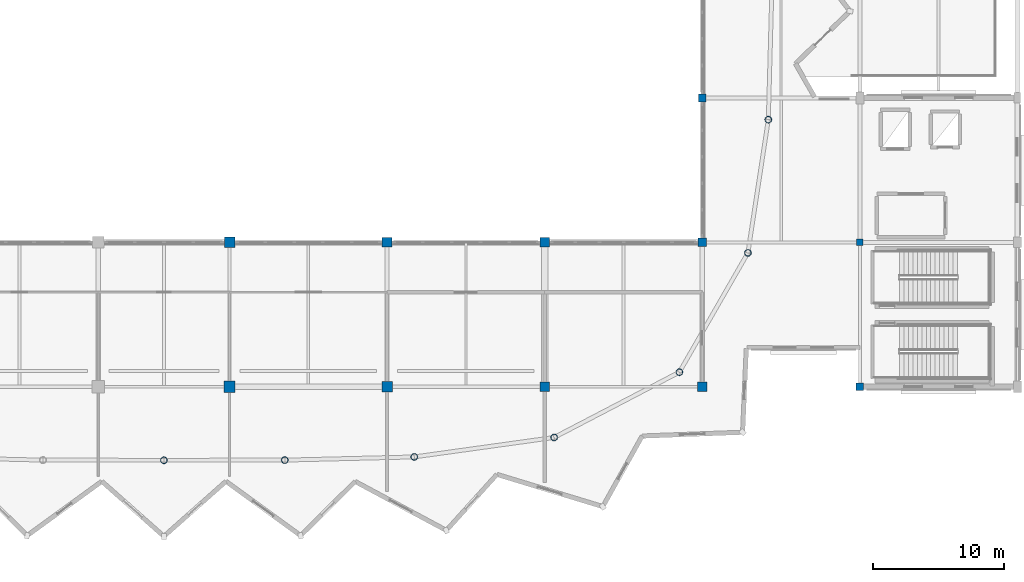
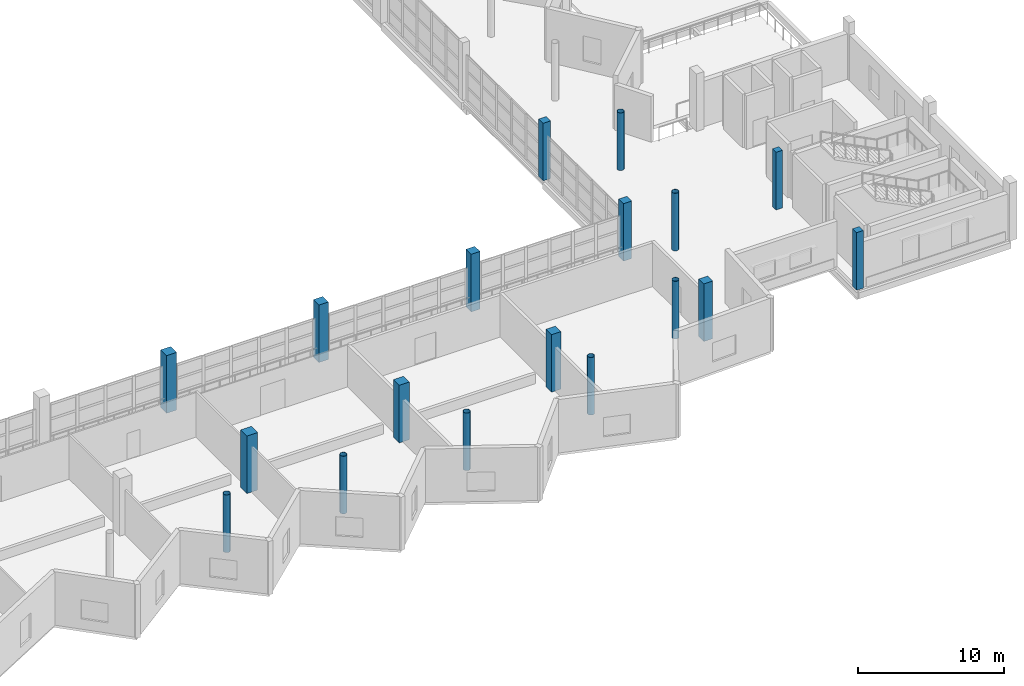
# One storey, part 4 of 53: 18 columns.
"""IFC4 building model written with IfcOpenShell, lengths in metres."""

import ifcopenshell
import ifcopenshell.guid

model = None  # the IFC model being written
_history = None  # IfcOwnerHistory: only IFC2X3 demands one
_inside = {}  # id of a spatial element -> (the spatial element, [elements in it])
_under = {}  # id of a project, library or spatial element -> (it, [spatial elements below it])
_declared = {}  # id of a project -> (the project, [libraries it declares])
_typed = {}  # id of a type object -> (the type object, [elements of that type])
_made_of = {}  # id of a material, layer set ... -> (it, [elements and type objects made of it])


def new_model(schema):
    """Start an empty IFC model of exactly this schema.

    Asked for "IFC4X3", IfcOpenShell would pick the latest addendum, in which some entities
    have other attributes; the version numbers below select the first issue.
    IFC2X3 requires an IfcOwnerHistory on every rooted entity: one is made here for all.
    """
    global model, _history
    if schema == "IFC4X3":
        model = ifcopenshell.file(schema_version=(4, 3, 0, 0))
    else:
        model = ifcopenshell.file(schema=schema)
    _inside.clear()
    _under.clear()
    _declared.clear()
    _typed.clear()
    _made_of.clear()
    _history = None
    if model.schema == "IFC2X3":
        org = make("IfcOrganization", Name="unknown")
        user = make(
            "IfcPersonAndOrganization",
            ThePerson=make("IfcPerson", FamilyName="unknown"),
            TheOrganization=org,
        )
        app = make(
            "IfcApplication",
            ApplicationDeveloper=org,
            Version="unknown",
            ApplicationFullName="unknown",
            ApplicationIdentifier="unknown",
        )
        _history = make(
            "IfcOwnerHistory",
            OwningUser=user,
            OwningApplication=app,
            ChangeAction="ADDED",
            CreationDate=0,
        )
    return model


def make(cls, **values):
    """One entity of the class cls with the attributes given. An attribute that is None is left unset."""
    return model.create_entity(
        cls, **{name: value for name, value in values.items() if value is not None}
    )


def rooted(cls, **values):
    """An entity with a GlobalId (a new one), such as an element, a storey or a relation."""
    return make(cls, GlobalId=ifcopenshell.guid.new(), OwnerHistory=_history, **values)


def si_unit(unit_type, name, prefix=None):
    """IfcSIUnit, for example si_unit("LENGTHUNIT", "METRE", prefix="MILLI")."""
    return make("IfcSIUnit", UnitType=unit_type, Prefix=prefix, Name=name)


def assignment(units):
    """IfcUnitAssignment: the units of a project."""
    return None if units is None else make("IfcUnitAssignment", Units=units)


def point(xyz):
    """IfcCartesianPoint."""
    return None if xyz is None else make("IfcCartesianPoint", Coordinates=xyz)


def direction(xyz):
    """IfcDirection."""
    return None if xyz is None else make("IfcDirection", DirectionRatios=xyz)


def frame(location, z_axis=None, x_axis=None):
    """IfcAxis2Placement3D, a coordinate frame: its origin and axes. An axis left out is left unset."""
    return make(
        "IfcAxis2Placement3D",
        Location=point(location),
        Axis=direction(z_axis),
        RefDirection=direction(x_axis),
    )


def frame_2d(location, x_axis=None):
    """IfcAxis2Placement2D, a coordinate frame in the plane: its origin and x axis."""
    return make(
        "IfcAxis2Placement2D", Location=point(location), RefDirection=direction(x_axis)
    )


def origin():
    """The frame at (0, 0, 0) with its axes left unset."""
    return frame((0.0, 0.0, 0.0))


def origin_2d():
    """The frame at (0, 0) in the plane with its x axis left unset."""
    return frame_2d((0.0, 0.0))


def place(relative_to, where):
    """IfcLocalPlacement: puts the frame where relative to a parent placement (None: the world)."""
    return make(
        "IfcLocalPlacement", PlacementRelTo=relative_to, RelativePlacement=where
    )


def context(
    kind, dimensions, precision=None, world=None, true_north=None, identifier=None
):
    """IfcGeometricRepresentationContext, for example the 3D "Model" context."""
    return make(
        "IfcGeometricRepresentationContext",
        ContextIdentifier=identifier,
        ContextType=kind,
        CoordinateSpaceDimension=dimensions,
        Precision=precision,
        WorldCoordinateSystem=world,
        TrueNorth=true_north,
    )


def subcontext(parent, identifier, kind, view, scale=None):
    """IfcGeometricRepresentationSubContext, for example "Body" below "Model"."""
    return make(
        "IfcGeometricRepresentationSubContext",
        ContextIdentifier=identifier,
        ContextType=kind,
        ParentContext=parent,
        TargetScale=scale,
        TargetView=view,
    )


def project(units=None, contexts=None):
    """IfcProject with its units and contexts."""
    return rooted(
        "IfcProject",
        Name="project",
        RepresentationContexts=contexts,
        UnitsInContext=assignment(units),
    )


def spatial(cls, under=None, at=None, **own):
    """A site, building, storey or space (cls), placed at a placement, below another one or the project."""
    s = rooted(cls, ObjectPlacement=at, **own)
    if under is not None:
        _under.setdefault(under.id(), (under, []))[1].append(s)
    return s


def profile(cls, at=None, kind="AREA", **sizes):
    """A parametric profile (cls). Its sizes go by their IFC names, for example OverallWidth=200.0."""
    return make(cls, ProfileType=kind, Position=at, **sizes)


def rectangle(**sizes):
    """IfcRectangleProfileDef."""
    return profile("IfcRectangleProfileDef", **sizes)


def hollow_circle(**sizes):
    """IfcCircleHollowProfileDef."""
    return profile("IfcCircleHollowProfileDef", **sizes)


def extrude(swept, where, along, depth):
    """IfcExtrudedAreaSolid: the profile swept, set in the frame where, extruded along a direction by depth."""
    return make(
        "IfcExtrudedAreaSolid",
        SweptArea=swept,
        Position=where,
        ExtrudedDirection=direction(along),
        Depth=depth,
    )


def shape(context_of_items, identifier, shape_type, items):
    """IfcShapeRepresentation: the items that make up one representation, for example the "Body"."""
    return make(
        "IfcShapeRepresentation",
        ContextOfItems=context_of_items,
        RepresentationIdentifier=identifier,
        RepresentationType=shape_type,
        Items=items,
    )


def material(Name=None, Category=None):
    """IfcMaterial."""
    return make("IfcMaterial", Name=Name, Category=Category)


def material_profile(
    of_material, cross_section, Name=None, Category=None, Priority=None
):
    """IfcMaterialProfile: a cross section and its material."""
    return make(
        "IfcMaterialProfile",
        Name=Name,
        Material=of_material,
        Profile=cross_section,
        Priority=Priority,
        Category=Category,
    )


def profile_set(profiles, Name=None, composite=None):
    """IfcMaterialProfileSet."""
    return make(
        "IfcMaterialProfileSet",
        Name=Name,
        MaterialProfiles=profiles,
        CompositeProfile=composite,
    )


def made_of(thing, what):
    """Note that an element or type object is made of a material, layer set ...; save() writes the relation."""
    if what is not None:
        _made_of.setdefault(what.id(), (what, []))[1].append(thing)
    return thing


def type_object(cls, material=None, **own):
    """A type object (cls), such as IfcWallType, which elements share."""
    return made_of(rooted(cls, **own), material)


def element(
    cls,
    number,
    at=None,
    inside=None,
    cuts=None,
    type_object=None,
    material=None,
    context=None,
    identifier="Body",
    shape_type=None,
    held_by="IfcProductDefinitionShape",
    body=None,
    shapes=None,
    **own,
):
    """One element of the class cls, such as IfcWall. Its Tag is "e" and its number.

    at: its placement. inside: the storey or other place that contains it. cuts: it is an
    opening in that element (IfcRelVoidsElement). A single representation is given by context,
    identifier, shape_type and body (its items); several are given by shapes. held_by: the class
    of the entity that holds the representations. save() writes the other relations.
    """
    e = rooted(cls, Tag="e%d" % number, ObjectPlacement=at, **own)
    if body is not None:
        shapes = [shape(context, identifier, shape_type, body)]
    if shapes is not None:
        e.Representation = make(held_by, Representations=shapes)
    if inside is not None:
        _inside.setdefault(inside.id(), (inside, []))[1].append(e)
    if cuts is not None:
        rooted(
            "IfcRelVoidsElement", RelatingBuildingElement=cuts, RelatedOpeningElement=e
        )
    if type_object is not None:
        _typed.setdefault(type_object.id(), (type_object, []))[1].append(e)
    return made_of(e, material)


def aggregate(whole, parts):
    """IfcRelAggregates: a whole, such as a stair, and the parts it consists of."""
    return rooted("IfcRelAggregates", RelatingObject=whole, RelatedObjects=parts)


def save(model, path):
    """Write the relations noted so far, then the file.

    IfcRelAggregates (storeys below a building ...), IfcRelContainedInSpatialStructure (elements
    in a storey), IfcRelDefinesByType, IfcRelAssociatesMaterial and IfcRelDeclares: one each for
    every whole, place, type object, material and project.
    """
    for whole, parts in _under.values():
        aggregate(whole, parts)
    for where, things in _inside.values():
        rooted(
            "IfcRelContainedInSpatialStructure",
            RelatedElements=things,
            RelatingStructure=where,
        )
    for kind, things in _typed.values():
        rooted("IfcRelDefinesByType", RelatedObjects=things, RelatingType=kind)
    for what, things in _made_of.values():
        rooted("IfcRelAssociatesMaterial", RelatedObjects=things, RelatingMaterial=what)
    for by, libraries in _declared.values():
        rooted("IfcRelDeclares", RelatingContext=by, RelatedDefinitions=libraries)
    model.write(path)


model = new_model("IFC4")

# Units and contexts
model_context = context("Model", 3, precision=1e-05, world=origin(), true_north=direction((0.0, 1.0)))
body_context = subcontext(model_context, "Body", "Model", "MODEL_VIEW")
ifc_project = project(units=[si_unit("LENGTHUNIT", "METRE"), si_unit("AREAUNIT", "SQUARE_METRE"), si_unit("VOLUMEUNIT", "CUBIC_METRE"), si_unit("PLANEANGLEUNIT", "RADIAN"), si_unit("MASSUNIT", "GRAM", prefix="KILO")], contexts=[model_context])

# Site, building, storey
site_placement = place(None, origin())
site = spatial("IfcSite", under=ifc_project, at=site_placement, CompositionType="ELEMENT")
building_placement = place(site_placement, origin())
building = spatial("IfcBuilding", under=site, at=building_placement, Name="Luwafu Chhajja Arena", CompositionType="ELEMENT")
storey_placement = place(building_placement, frame((0.0, 0.0, 19.5)))
storey = spatial("IfcBuildingStorey", under=building, at=storey_placement, Name="L04", CompositionType="ELEMENT", Elevation=19.5)

# Columns
ifc_material_1 = material(Name="Concrete C35/45", Category="concrete")
ifc_material_profile_1 = material_profile(ifc_material_1, rectangle(XDim=0.85009765625, YDim=0.85009765625, at=origin_2d()), Name="RC 850x850")
ifc_profile_set_1 = profile_set([ifc_material_profile_1], Name="Concrete C35/45")
column_type_1 = type_object("IfcColumnType", Name="Concourse Heavy Column RC 850", PredefinedType="COLUMN", material=ifc_profile_set_1)
column_1_placement = place(storey_placement, frame((104.0, 11.0, 0.0), z_axis=(0.0, 0.0, 1.0), x_axis=(1.0, 0.0, 0.0)))
element("IfcColumn", 1, at=column_1_placement, inside=storey, type_object=column_type_1, Name="L04 Grid Column 10/B", PredefinedType="COLUMN", context=body_context, shape_type="SweptSolid", body=[
    extrude(rectangle(XDim=0.85009765625, YDim=0.85009765625, at=origin_2d()), origin(), (0.0, 0.0, 1.0), 4.800048828125),
])
ifc_material_profile_2 = material_profile(ifc_material_1, rectangle(XDim=0.800048828125, YDim=0.800048828125, at=origin_2d()), Name="RC 800x800")
ifc_profile_set_2 = profile_set([ifc_material_profile_2], Name="Concrete C35/45")
column_type_2 = type_object("IfcColumnType", Name="Concourse Standard Column RC 800", PredefinedType="COLUMN", material=ifc_profile_set_2)
for number, where, z_axis, x_axis, name in (
    (2, (104.0, 22.0, 0.0), (0.0, 0.0, 1.0), (1.0, 0.0, 0.0), "L04 Grid Column 10/C"),
    (3, (116.0, 11.0, 0.0), (0.0, 0.0, 1.0), (1.0, 0.0, 0.0), "L04 Grid Column 11/B"),
):
    element("IfcColumn", number, at=place(storey_placement, frame(where, z_axis=z_axis, x_axis=x_axis)), inside=storey, type_object=column_type_2, Name=name, PredefinedType="COLUMN", context=body_context, shape_type="SweptSolid", body=[
        extrude(rectangle(XDim=0.800048828125, YDim=0.800048828125, at=origin_2d()), origin(), (0.0, 0.0, 1.0), 4.800048828125),
    ])
ifc_material_profile_3 = material_profile(ifc_material_1, rectangle(XDim=0.550048828125, YDim=0.550048828125, at=origin_2d()), Name="RC 550x550")
ifc_profile_set_3 = profile_set([ifc_material_profile_3], Name="Concrete C35/45")
column_type_3 = type_object("IfcColumnType", Name="Gallery Column RC 550", PredefinedType="COLUMN", material=ifc_profile_set_3)
column_2_placement = place(storey_placement, frame((152.0, 11.0, 0.0), z_axis=(0.0, 0.0, 1.0), x_axis=(1.0, 0.0, 0.0)))
element("IfcColumn", 4, at=column_2_placement, inside=storey, type_object=column_type_3, Name="L04 Grid Column 14/B", PredefinedType="COLUMN", context=body_context, shape_type="SweptSolid", body=[
    extrude(rectangle(XDim=0.550048828125, YDim=0.550048828125, at=origin_2d()), origin(), (0.0, 0.0, 1.0), 4.800048828125),
])
ifc_material_profile_4 = material_profile(ifc_material_1, rectangle(XDim=0.75, YDim=0.75, at=origin_2d()), Name="RC 750x750")
ifc_profile_set_4 = profile_set([ifc_material_profile_4], Name="Concrete C35/45")
column_type_4 = type_object("IfcColumnType", Name="Hospitality Ring Column RC 750", PredefinedType="COLUMN", material=ifc_profile_set_4)
for number, where, z_axis, x_axis, name in (
    (5, (116.0, 22.0, 0.0), (0.0, 0.0, 1.0), (1.0, 0.0, 0.0), "L04 Grid Column 11/C"),
    (6, (128.0, 11.0, 0.0), (0.0, 0.0, 1.0), (1.0, 0.0, 0.0), "L04 Grid Column 12/B"),
):
    element("IfcColumn", number, at=place(storey_placement, frame(where, z_axis=z_axis, x_axis=x_axis)), inside=storey, type_object=column_type_4, Name=name, PredefinedType="COLUMN", context=body_context, shape_type="SweptSolid", body=[
        extrude(rectangle(XDim=0.75, YDim=0.75, at=origin_2d()), origin(), (0.0, 0.0, 1.0), 4.800048828125),
    ])
ifc_material_profile_5 = material_profile(ifc_material_1, rectangle(XDim=0.60009765625, YDim=0.60009765625, at=origin_2d()), Name="RC 600x600")
ifc_profile_set_5 = profile_set([ifc_material_profile_5], Name="Concrete C35/45")
column_type_5 = type_object("IfcColumnType", Name="Mezzanine Column RC 600", PredefinedType="COLUMN", material=ifc_profile_set_5)
column_3_placement = place(storey_placement, frame((140.0, 33.0, 0.0), z_axis=(0.0, 0.0, 1.0), x_axis=(1.0, 0.0, 0.0)))
element("IfcColumn", 7, at=column_3_placement, inside=storey, type_object=column_type_5, Name="L04 Grid Column 13/D", PredefinedType="COLUMN", context=body_context, shape_type="SweptSolid", body=[
    extrude(rectangle(XDim=0.60009765625, YDim=0.60009765625, at=origin_2d()), origin(), (0.0, 0.0, 1.0), 4.800048828125),
])
ifc_material_profile_6 = material_profile(ifc_material_1, rectangle(XDim=0.5, YDim=0.5, at=origin_2d()), Name="RC 500x500")
ifc_profile_set_6 = profile_set([ifc_material_profile_6], Name="Concrete C35/45")
column_type_6 = type_object("IfcColumnType", Name="Pavilion Column RC 500", PredefinedType="COLUMN", material=ifc_profile_set_6)
column_4_placement = place(storey_placement, frame((152.0, 22.0, 0.0), z_axis=(0.0, 0.0, 1.0), x_axis=(1.0, 0.0, 0.0)))
element("IfcColumn", 8, at=column_4_placement, inside=storey, type_object=column_type_6, Name="L04 Grid Column 14/C", PredefinedType="COLUMN", context=body_context, shape_type="SweptSolid", body=[
    extrude(rectangle(XDim=0.5, YDim=0.5, at=origin_2d()), origin(), (0.0, 0.0, 1.0), 4.800048828125),
])
ifc_material_2 = material(Name="Steel S355", Category="steel")
ifc_material_profile_7 = material_profile(ifc_material_2, hollow_circle(Radius=0.25390625, WallThickness=0.02001953125, at=origin_2d()), Name="CHS 508x20")
ifc_profile_set_7 = profile_set([ifc_material_profile_7], Name="Steel S355")
column_type_7 = type_object("IfcColumnType", Name="Steel Upper Drum Column CHS 508", PredefinedType="COLUMN", material=ifc_profile_set_7)
for number, where, z_axis, x_axis, name in (
    (9, (99.0, 5.39990234375, 0.0), (0.0, 0.0, 1.0), (1.0, 0.0, 0.0), "L04 Bowl Drum Column D25"),
    (10, (108.207275390625, 5.411865234375, 0.0), (0.0, 0.0, 1.0), (1.0, 0.0, 0.0), "L04 Bowl Drum Column D26"),
    (11, (118.067138671875, 5.6552734375, 0.0), (0.0, 0.0, 1.0), (1.0, 0.0, 0.0), "L04 Bowl Drum Column D27"),
    (12, (128.718017578125, 7.13720703125, 0.0), (0.0, 0.0, 1.0), (1.0, 0.0, 0.0), "L04 Bowl Drum Column D28"),
    (13, (138.256103515625, 12.109130859375, 0.0), (0.0, 0.0, 1.0), (1.0, 0.0, 0.0), "L04 Bowl Drum Column D29"),
    (14, (143.47607421875, 21.194091796875, 0.0), (0.0, 0.0, 1.0), (1.0, 0.0, 0.0), "L04 Bowl Drum Column D30"),
    (15, (145.031982421875, 31.3388671875, 0.0), (0.0, 0.0, 1.0), (1.0, 0.0, 0.0), "L04 Bowl Drum Column D31"),
):
    element("IfcColumn", number, at=place(storey_placement, frame(where, z_axis=z_axis, x_axis=x_axis)), inside=storey, type_object=column_type_7, Name=name, PredefinedType="COLUMN", context=body_context, shape_type="SweptSolid", body=[
        extrude(hollow_circle(Radius=0.25390625, WallThickness=0.02001953125, at=origin_2d()), origin(), (0.0, 0.0, 1.0), 4.800048828125),
    ])
ifc_material_profile_8 = material_profile(ifc_material_1, rectangle(XDim=0.64990234375, YDim=0.64990234375, at=origin_2d()), Name="RC 650x650")
ifc_profile_set_8 = profile_set([ifc_material_profile_8], Name="Concrete C35/45")
column_type_8 = type_object("IfcColumnType", Name="Upper Wing Column RC 650", PredefinedType="COLUMN", material=ifc_profile_set_8)
column_5_placement = place(storey_placement, frame((140.0, 22.0, 0.0), z_axis=(0.0, 0.0, 1.0), x_axis=(1.0, 0.0, 0.0)))
element("IfcColumn", 16, at=column_5_placement, inside=storey, type_object=column_type_8, Name="L04 Grid Column 13/C", PredefinedType="COLUMN", context=body_context, shape_type="SweptSolid", body=[
    extrude(rectangle(XDim=0.64990234375, YDim=0.64990234375, at=origin_2d()), origin(), (0.0, 0.0, 1.0), 4.800048828125),
])
ifc_material_profile_9 = material_profile(ifc_material_1, rectangle(XDim=0.699951171875, YDim=0.699951171875, at=origin_2d()), Name="RC 700x700")
ifc_profile_set_9 = profile_set([ifc_material_profile_9], Name="Concrete C35/45")
column_type_9 = type_object("IfcColumnType", Name="Wing Frame Column RC 700", PredefinedType="COLUMN", material=ifc_profile_set_9)
for number, where, z_axis, x_axis, name in (
    (17, (128.0, 22.0, 0.0), (0.0, 0.0, 1.0), (1.0, 0.0, 0.0), "L04 Grid Column 12/C"),
    (18, (140.0, 11.0, 0.0), (0.0, 0.0, 1.0), (1.0, 0.0, 0.0), "L04 Grid Column 13/B"),
):
    element("IfcColumn", number, at=place(storey_placement, frame(where, z_axis=z_axis, x_axis=x_axis)), inside=storey, type_object=column_type_9, Name=name, PredefinedType="COLUMN", context=body_context, shape_type="SweptSolid", body=[
        extrude(rectangle(XDim=0.699951171875, YDim=0.699951171875, at=origin_2d()), origin(), (0.0, 0.0, 1.0), 4.800048828125),
    ])

save(model, "model.ifc")
